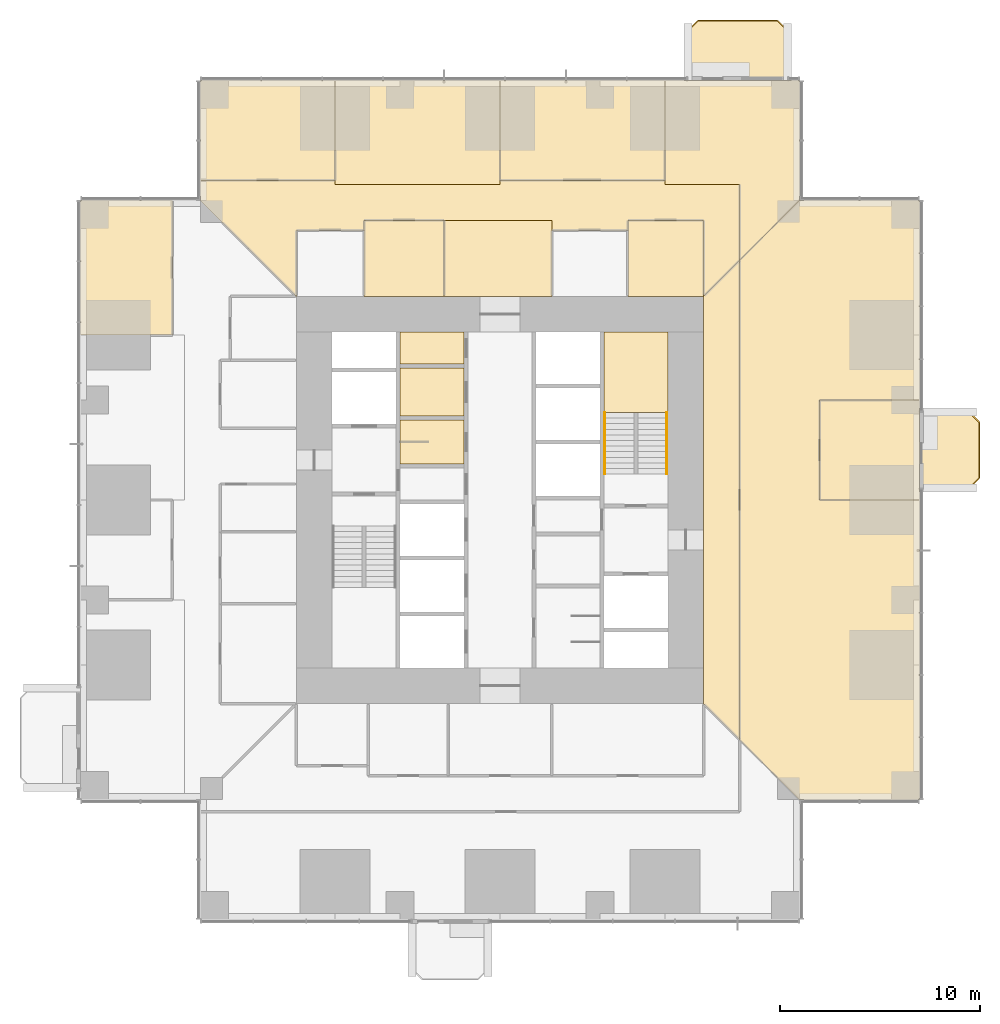
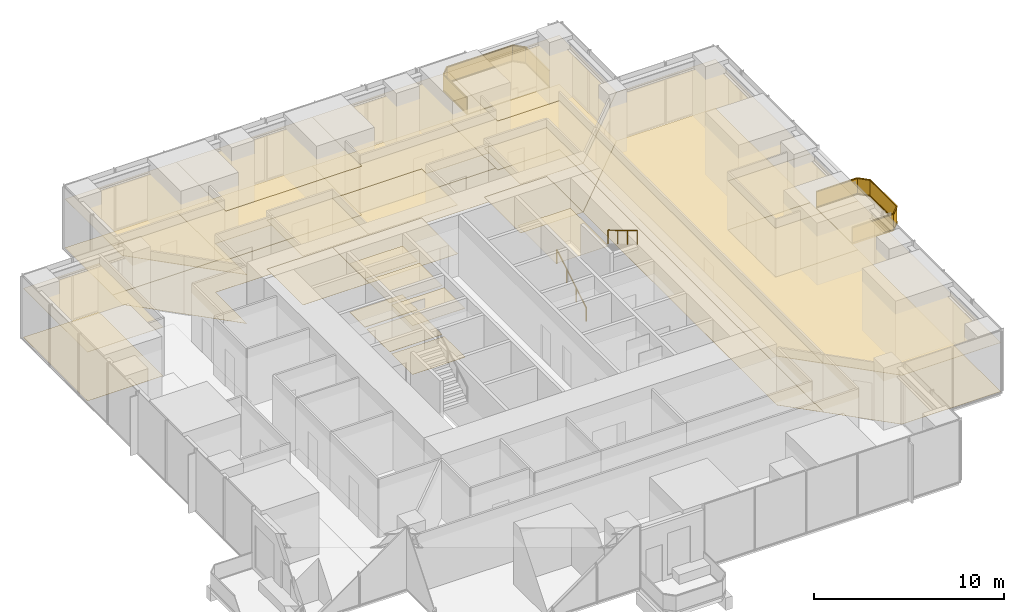
# One storey, part 16 of 17: 33 coverings, 4 railings.
"""IFC4 building model written with IfcOpenShell, lengths in metres."""

from ifc_helpers import new_model, si_unit, direction, frame, origin, origin_2d, place, context, subcontext, project, spatial, polyline, rectangle, circle, outline, extrude, material, layer, layer_set, type_object, element, save


model = new_model("IFC4")

# Units and contexts
model_context = context("Model", 3, precision=1e-05, world=origin(), true_north=direction((0.0, 1.0)))
body_context = subcontext(model_context, "Body", "Model", "MODEL_VIEW")
ifc_project = project(units=[si_unit("LENGTHUNIT", "METRE"), si_unit("AREAUNIT", "SQUARE_METRE"), si_unit("VOLUMEUNIT", "CUBIC_METRE"), si_unit("PLANEANGLEUNIT", "RADIAN"), si_unit("MASSUNIT", "GRAM", prefix="KILO")], contexts=[model_context])

# Site, building, storey
site_placement = place(None, origin())
site = spatial("IfcSite", under=ifc_project, at=site_placement, CompositionType="ELEMENT")
building_placement = place(site_placement, origin())
building = spatial("IfcBuilding", under=site, at=building_placement, Name="Svetlomir Tower", CompositionType="ELEMENT")
storey_placement = place(building_placement, frame((0.0, 0.0, 30.5)))
storey = spatial("IfcBuildingStorey", under=building, at=storey_placement, Name="L06", CompositionType="ELEMENT", Elevation=30.5)

# Railings
ifc_material_1 = material(Name="Bronze anodised aluminium and laminated glass", Category="aluminium")
railing_type_1 = type_object("IfcRailingType", Name="BALCONY GUARD GR1 1100", PredefinedType="GUARDRAIL", material=ifc_material_1)
railing_1_placement = place(storey_placement, frame((42.0, 21.60009765625, 0.0)))
element("IfcRailing", 1, at=railing_1_placement, inside=storey, type_object=railing_type_1, Name="Balcony guard E L06", PredefinedType="GUARDRAIL", context=body_context, shape_type="SweptSolid", body=[
    extrude(rectangle(XDim=0.06005859375, YDim=0.10009765625, at=origin_2d()), frame((0.0, 0.0, 0.050048828125), z_axis=(1.0, 0.0, 0.0), x_axis=(0.0, 1.0, 0.0)), (0.0, 0.0, 1.0), 2.5),
    extrude(rectangle(XDim=0.021484375, YDim=0.960205078125, at=origin_2d()), frame((0.0, 0.0, 0.580078125), z_axis=(1.0, 0.0, 0.0), x_axis=(0.0, 1.0, 0.0)), (0.0, 0.0, 1.0), 2.5),
    extrude(rectangle(XDim=0.06005859375, YDim=0.0400390625, at=origin_2d()), frame((0.0, 0.0, 1.080078125), z_axis=(1.0, 0.0, 0.0), x_axis=(0.0, 1.0, 0.0)), (0.0, 0.0, 1.0), 2.5),
    extrude(rectangle(XDim=0.06005859375, YDim=0.10009765625, at=origin_2d()), frame((2.5, 0.0, 0.050048828125), z_axis=(0.707106781187, 0.707106781187, 0.0), x_axis=(-0.707106781187, 0.707106781187, 0.0)), (0.0, 0.0, 1.0), 0.70703125),
    extrude(rectangle(XDim=0.021484375, YDim=0.960205078125, at=origin_2d()), frame((2.5, 0.0, 0.580078125), z_axis=(0.707106781187, 0.707106781187, 0.0), x_axis=(-0.707106781187, 0.707106781187, 0.0)), (0.0, 0.0, 1.0), 0.70703125),
    extrude(rectangle(XDim=0.06005859375, YDim=0.0400390625, at=origin_2d()), frame((2.5, 0.0, 1.080078125), z_axis=(0.707106781187, 0.707106781187, 0.0), x_axis=(-0.707106781187, 0.707106781187, 0.0)), (0.0, 0.0, 1.0), 0.70703125),
    extrude(rectangle(XDim=0.06005859375, YDim=0.10009765625, at=origin_2d()), frame((3.0, 0.5, 0.050048828125), z_axis=(0.0, 1.0, 0.0), x_axis=(-1.0, 0.0, 0.0)), (0.0, 0.0, 1.0), 2.7998046875),
    extrude(rectangle(XDim=0.021484375, YDim=0.960205078125, at=origin_2d()), frame((3.0, 0.5, 0.580078125), z_axis=(0.0, 1.0, 0.0), x_axis=(-1.0, 0.0, 0.0)), (0.0, 0.0, 1.0), 2.7998046875),
    extrude(rectangle(XDim=0.06005859375, YDim=0.0400390625, at=origin_2d()), frame((3.0, 0.5, 1.080078125), z_axis=(0.0, 1.0, 0.0), x_axis=(-1.0, 0.0, 0.0)), (0.0, 0.0, 1.0), 2.7998046875),
    extrude(rectangle(XDim=0.06005859375, YDim=0.10009765625, at=origin_2d()), frame((3.0, 3.2998046875, 0.050048828125), z_axis=(-0.707106781187, 0.707106781187, 0.0), x_axis=(-0.707106781187, -0.707106781187, 0.0)), (0.0, 0.0, 1.0), 0.70703125),
    extrude(rectangle(XDim=0.021484375, YDim=0.960205078125, at=origin_2d()), frame((3.0, 3.2998046875, 0.580078125), z_axis=(-0.707106781187, 0.707106781187, 0.0), x_axis=(-0.707106781187, -0.707106781187, 0.0)), (0.0, 0.0, 1.0), 0.70703125),
    extrude(rectangle(XDim=0.06005859375, YDim=0.0400390625, at=origin_2d()), frame((3.0, 3.2998046875, 1.080078125), z_axis=(-0.707106781187, 0.707106781187, 0.0), x_axis=(-0.707106781187, -0.707106781187, 0.0)), (0.0, 0.0, 1.0), 0.70703125),
    extrude(rectangle(XDim=0.06005859375, YDim=0.10009765625, at=origin_2d()), frame((2.5, 3.7998046875, 0.050048828125), z_axis=(-1.0, 0.0, 0.0), x_axis=(0.0, -1.0, 0.0)), (0.0, 0.0, 1.0), 2.5),
    extrude(rectangle(XDim=0.021484375, YDim=0.960205078125, at=origin_2d()), frame((2.5, 3.7998046875, 0.580078125), z_axis=(-1.0, 0.0, 0.0), x_axis=(0.0, -1.0, 0.0)), (0.0, 0.0, 1.0), 2.5),
    extrude(rectangle(XDim=0.06005859375, YDim=0.0400390625, at=origin_2d()), frame((2.5, 3.7998046875, 1.080078125), z_axis=(-1.0, 0.0, 0.0), x_axis=(0.0, -1.0, 0.0)), (0.0, 0.0, 1.0), 2.5),
])
railing_2_placement = place(storey_placement, frame((35.39990234375, 42.0, 0.0)))
element("IfcRailing", 2, at=railing_2_placement, inside=storey, type_object=railing_type_1, Name="Balcony guard N L06", PredefinedType="GUARDRAIL", context=body_context, shape_type="SweptSolid", body=[
    extrude(rectangle(XDim=0.06005859375, YDim=0.10009765625, at=origin_2d()), frame((0.0, 0.0, 0.050048828125), z_axis=(0.0, 1.0, 0.0), x_axis=(-1.0, 0.0, 0.0)), (0.0, 0.0, 1.0), 2.5),
    extrude(rectangle(XDim=0.021484375, YDim=0.960205078125, at=origin_2d()), frame((0.0, 0.0, 0.580078125), z_axis=(0.0, 1.0, 0.0), x_axis=(-1.0, 0.0, 0.0)), (0.0, 0.0, 1.0), 2.5),
    extrude(rectangle(XDim=0.06005859375, YDim=0.0400390625, at=origin_2d()), frame((0.0, 0.0, 1.080078125), z_axis=(0.0, 1.0, 0.0), x_axis=(-1.0, 0.0, 0.0)), (0.0, 0.0, 1.0), 2.5),
    extrude(rectangle(XDim=0.06005859375, YDim=0.10009765625, at=origin_2d()), frame((0.0, 2.5, 0.050048828125), z_axis=(-0.707106781187, 0.707106781187, 0.0), x_axis=(-0.707106781187, -0.707106781187, 0.0)), (0.0, 0.0, 1.0), 0.70703125),
    extrude(rectangle(XDim=0.021484375, YDim=0.960205078125, at=origin_2d()), frame((0.0, 2.5, 0.580078125), z_axis=(-0.707106781187, 0.707106781187, 0.0), x_axis=(-0.707106781187, -0.707106781187, 0.0)), (0.0, 0.0, 1.0), 0.70703125),
    extrude(rectangle(XDim=0.06005859375, YDim=0.0400390625, at=origin_2d()), frame((0.0, 2.5, 1.080078125), z_axis=(-0.707106781187, 0.707106781187, 0.0), x_axis=(-0.707106781187, -0.707106781187, 0.0)), (0.0, 0.0, 1.0), 0.70703125),
    extrude(rectangle(XDim=0.06005859375, YDim=0.10009765625, at=origin_2d()), frame((-0.5, 3.0, 0.050048828125), z_axis=(-1.0, 0.0, 0.0), x_axis=(0.0, -1.0, 0.0)), (0.0, 0.0, 1.0), 4.0),
    extrude(rectangle(XDim=0.021484375, YDim=0.960205078125, at=origin_2d()), frame((-0.5, 3.0, 0.580078125), z_axis=(-1.0, 0.0, 0.0), x_axis=(0.0, -1.0, 0.0)), (0.0, 0.0, 1.0), 4.0),
    extrude(rectangle(XDim=0.06005859375, YDim=0.0400390625, at=origin_2d()), frame((-0.5, 3.0, 1.080078125), z_axis=(-1.0, 0.0, 0.0), x_axis=(0.0, -1.0, 0.0)), (0.0, 0.0, 1.0), 4.0),
    extrude(rectangle(XDim=0.06005859375, YDim=0.10009765625, at=origin_2d()), frame((-4.5, 3.0, 0.050048828125), z_axis=(-0.707106781187, -0.707106781187, 0.0), x_axis=(0.707106781187, -0.707106781187, 0.0)), (0.0, 0.0, 1.0), 0.70703125),
    extrude(rectangle(XDim=0.021484375, YDim=0.960205078125, at=origin_2d()), frame((-4.5, 3.0, 0.580078125), z_axis=(-0.707106781187, -0.707106781187, 0.0), x_axis=(0.707106781187, -0.707106781187, 0.0)), (0.0, 0.0, 1.0), 0.70703125),
    extrude(rectangle(XDim=0.06005859375, YDim=0.0400390625, at=origin_2d()), frame((-4.5, 3.0, 1.080078125), z_axis=(-0.707106781187, -0.707106781187, 0.0), x_axis=(0.707106781187, -0.707106781187, 0.0)), (0.0, 0.0, 1.0), 0.70703125),
    extrude(rectangle(XDim=0.06005859375, YDim=0.10009765625, at=origin_2d()), frame((-5.0, 2.5, 0.050048828125), z_axis=(0.0, -1.0, 0.0), x_axis=(1.0, 0.0, 0.0)), (0.0, 0.0, 1.0), 2.5),
    extrude(rectangle(XDim=0.021484375, YDim=0.960205078125, at=origin_2d()), frame((-5.0, 2.5, 0.580078125), z_axis=(0.0, -1.0, 0.0), x_axis=(1.0, 0.0, 0.0)), (0.0, 0.0, 1.0), 2.5),
    extrude(rectangle(XDim=0.06005859375, YDim=0.0400390625, at=origin_2d()), frame((-5.0, 2.5, 1.080078125), z_axis=(0.0, -1.0, 0.0), x_axis=(1.0, 0.0, 0.0)), (0.0, 0.0, 1.0), 2.5),
])

# Coverings
ifc_material_2 = material(Name="Granite paving slabs on pedestals", Category="masonry")
ifc_layer_1 = layer(ifc_material_2, 0.0400390625)
ifc_layer_set_1 = layer_set([ifc_layer_1], Name="Granite paving slabs on pedestals")
covering_type_1 = type_object("IfcCoveringType", Name="BALCONY PAVING 40", PredefinedType="USERDEFINED", material=ifc_layer_set_1)
covering_1_placement = place(storey_placement, origin())
element("IfcCovering", 3, at=covering_1_placement, inside=storey, type_object=covering_type_1, Name="Balcony paving E L06", ObjectType="BALCONY PAVING", PredefinedType="USERDEFINED", context=body_context, shape_type="SweptSolid", body=[
    extrude(outline(polyline([(42.0, 21.60009765625), (44.5, 21.60009765625), (45.0, 22.10009765625), (45.0, 24.89990234375), (44.5, 25.39990234375), (42.0, 25.39990234375), (42.0, 21.60009765625)])), origin(), (0.0, 0.0, 1.0), 0.0400390625),
])
covering_2_placement = place(storey_placement, origin())
element("IfcCovering", 4, at=covering_2_placement, inside=storey, type_object=covering_type_1, Name="Balcony paving N L06", ObjectType="BALCONY PAVING", PredefinedType="USERDEFINED", context=body_context, shape_type="SweptSolid", body=[
    extrude(outline(polyline([(30.39990234375, 42.0), (35.39990234375, 42.0), (35.39990234375, 44.5), (34.89990234375, 45.0), (30.89990234375, 45.0), (30.39990234375, 44.5), (30.39990234375, 42.0)])), origin(), (0.0, 0.0, 1.0), 0.0400390625),
])
ifc_material_3 = material(Name="Carpet tile", Category="textile")
ifc_layer_2 = layer(ifc_material_3, 0.010009765625)
ifc_layer_set_2 = layer_set([ifc_layer_2], Name="Carpet tile")
covering_type_2 = type_object("IfcCoveringType", Name="CARPET TILE FLOOR 10", PredefinedType="FLOORING", material=ifc_layer_set_2)
covering_3_placement = place(storey_placement, origin())
element("IfcCovering", 5, at=covering_3_placement, inside=storey, type_object=covering_type_2, Name="Floor finish L06-16", PredefinedType="FLOORING", context=body_context, shape_type="SweptSolid", body=[
    extrude(outline(polyline([(37.0, 21.0), (42.0, 21.0), (42.0, 26.0), (37.0, 26.0), (37.0, 21.0)])), origin(), (0.0, 0.0, 1.0), 0.010009765625),
])
covering_4_placement = place(storey_placement, origin())
element("IfcCovering", 6, at=covering_4_placement, inside=storey, type_object=covering_type_2, Name="Floor finish L06-18", PredefinedType="FLOORING", context=body_context, shape_type="SweptSolid", body=[
    extrude(outline(polyline([(14.199951171875, 31.199951171875), (18.199951171875, 31.199951171875), (18.199951171875, 35.0), (14.199951171875, 35.0), (14.199951171875, 31.199951171875)])), origin(), (0.0, 0.0, 1.0), 0.010009765625),
])
covering_5_placement = place(storey_placement, origin())
element("IfcCovering", 7, at=covering_5_placement, inside=storey, type_object=covering_type_2, Name="Floor finish L06-20", PredefinedType="FLOORING", context=body_context, shape_type="SweptSolid", body=[
    extrude(outline(polyline([(27.39990234375, 31.199951171875), (31.199951171875, 31.199951171875), (31.199951171875, 35.0), (27.39990234375, 35.0), (27.39990234375, 31.199951171875)])), origin(), (0.0, 0.0, 1.0), 0.010009765625),
])
covering_6_placement = place(storey_placement, origin())
element("IfcCovering", 8, at=covering_6_placement, inside=storey, type_object=covering_type_2, Name="Floor finish L06-21", PredefinedType="FLOORING", context=body_context, shape_type="SweptSolid", body=[
    extrude(outline(polyline([(6.0, 37.0), (12.75, 37.0), (12.75, 42.0), (6.0, 42.0), (6.0, 37.0)])), origin(), (0.0, 0.0, 1.0), 0.010009765625),
])
covering_7_placement = place(storey_placement, origin())
element("IfcCovering", 9, at=covering_7_placement, inside=storey, type_object=covering_type_2, Name="Floor finish L06-22", PredefinedType="FLOORING", context=body_context, shape_type="SweptSolid", body=[
    extrude(outline(polyline([(21.0, 37.0), (29.25, 37.0), (29.25, 42.0), (21.0, 42.0), (21.0, 37.0)])), origin(), (0.0, 0.0, 1.0), 0.010009765625),
])
covering_8_placement = place(storey_placement, origin())
element("IfcCovering", 10, at=covering_8_placement, inside=storey, type_object=covering_type_2, Name="Floor finish L06-28", PredefinedType="FLOORING", context=body_context, shape_type="SweptSolid", body=[
    extrude(outline(polyline([(0.0, 29.25), (4.60009765625, 29.25), (4.60009765625, 36.0), (0.0, 36.0), (0.0, 29.25)])), origin(), (0.0, 0.0, 1.0), 0.010009765625),
])
covering_9_placement = place(storey_placement, origin())
element("IfcCovering", 11, at=covering_9_placement, inside=storey, type_object=covering_type_2, Name="Floor finish L06-30", PredefinedType="FLOORING", context=body_context, shape_type="SweptSolid", body=[
    extrude(outline(polyline([(33.0, 9.0), (31.199951171875, 10.800048828125), (31.199951171875, 31.199951171875), (33.0, 33.0), (33.0, 9.0)])), origin(), (0.0, 0.0, 1.0), 0.010009765625),
])
covering_10_placement = place(storey_placement, origin())
element("IfcCovering", 12, at=covering_10_placement, inside=storey, type_object=covering_type_2, Name="Floor finish L06-31", PredefinedType="FLOORING", context=body_context, shape_type="SweptSolid", body=[
    extrude(outline(polyline([(6.0, 37.0), (12.75, 37.0), (12.75, 36.800048828125), (21.0, 36.800048828125), (21.0, 37.0), (29.25, 37.0), (29.25, 36.800048828125), (33.0, 36.800048828125), (33.0, 33.0), (31.199951171875, 31.199951171875), (31.199951171875, 35.0), (27.39990234375, 35.0), (27.39990234375, 34.5), (23.60009765625, 34.5), (23.60009765625, 35.0), (14.199951171875, 35.0), (14.199951171875, 34.5), (10.800048828125, 34.5), (10.800048828125, 31.199951171875), (6.0, 36.0), (6.0, 37.0)])), origin(), (0.0, 0.0, 1.0), 0.010009765625),
])
covering_11_placement = place(storey_placement, origin())
element("IfcCovering", 13, at=covering_11_placement, inside=storey, type_object=covering_type_2, Name="Floor finish L06-35", PredefinedType="FLOORING", context=body_context, shape_type="SweptSolid", body=[
    extrude(outline(polyline([(33.0, 33.0), (36.0, 36.0), (42.0, 36.0), (42.0, 26.0), (37.0, 26.0), (37.0, 21.0), (42.0, 21.0), (42.0, 6.0), (36.0, 6.0), (33.0, 9.0), (33.0, 33.0)])), origin(), (0.0, 0.0, 1.0), 0.010009765625),
])
covering_12_placement = place(storey_placement, origin())
element("IfcCovering", 14, at=covering_12_placement, inside=storey, type_object=covering_type_2, Name="Floor finish L06-36", PredefinedType="FLOORING", context=body_context, shape_type="SweptSolid", body=[
    extrude(outline(polyline([(33.0, 36.800048828125), (29.25, 36.800048828125), (29.25, 42.0), (36.0, 42.0), (36.0, 36.0), (33.0, 33.0), (33.0, 36.800048828125)])), origin(), (0.0, 0.0, 1.0), 0.010009765625),
])
covering_13_placement = place(storey_placement, origin())
element("IfcCovering", 15, at=covering_13_placement, inside=storey, type_object=covering_type_2, Name="Floor finish L06-37", PredefinedType="FLOORING", context=body_context, shape_type="SweptSolid", body=[
    extrude(outline(polyline([(21.0, 42.0), (21.0, 36.800048828125), (12.75, 36.800048828125), (12.75, 42.0), (21.0, 42.0)])), origin(), (0.0, 0.0, 1.0), 0.010009765625),
])
covering_14_placement = place(storey_placement, origin())
element("IfcCovering", 16, at=covering_14_placement, inside=storey, type_object=covering_type_2, Name="Floor finish L06-38", PredefinedType="FLOORING", context=body_context, shape_type="SweptSolid", body=[
    extrude(outline(polyline([(18.199951171875, 31.199951171875), (18.199951171875, 35.0), (23.60009765625, 35.0), (23.60009765625, 31.199951171875), (18.199951171875, 31.199951171875)])), origin(), (0.0, 0.0, 1.0), 0.010009765625),
])
ifc_material_4 = material(Name="Ceramic floor tile", Category="ceramic")
ifc_layer_3 = layer(ifc_material_4, 0.014892578125)
ifc_layer_set_3 = layer_set([ifc_layer_3], Name="Ceramic floor tile")
covering_type_3 = type_object("IfcCoveringType", Name="CERAMIC TILE FLOOR 15", PredefinedType="FLOORING", material=ifc_layer_set_3)
covering_15_placement = place(storey_placement, origin())
element("IfcCovering", 17, at=covering_15_placement, inside=storey, type_object=covering_type_3, Name="Floor finish L06-04", PredefinedType="FLOORING", context=body_context, shape_type="SweptSolid", body=[
    extrude(outline(polyline([(16.0, 22.800048828125), (19.199951171875, 22.800048828125), (19.199951171875, 25.0), (16.0, 25.0), (16.0, 22.800048828125)])), origin(), (0.0, 0.0, 1.0), 0.014892578125),
])
covering_16_placement = place(storey_placement, origin())
element("IfcCovering", 18, at=covering_16_placement, inside=storey, type_object=covering_type_3, Name="Floor finish L06-05", PredefinedType="FLOORING", context=body_context, shape_type="SweptSolid", body=[
    extrude(outline(polyline([(16.0, 25.199951171875), (19.199951171875, 25.199951171875), (19.199951171875, 27.60009765625), (16.0, 27.60009765625), (16.0, 25.199951171875)])), origin(), (0.0, 0.0, 1.0), 0.014892578125),
])

# Railings
ifc_material_5 = material(Name="Stainless steel", Category="steel")
railing_type_2 = type_object("IfcRailingType", Name="HANDRAIL HR1 900", PredefinedType="HANDRAIL", material=ifc_material_5)
railing_3_placement = place(storey_placement, frame((26.25, 22.300048828125, 0.166748046875)))
element("IfcRailing", 19, at=railing_3_placement, inside=storey, type_object=railing_type_2, Name="Handrail S2 flight 1 L06", PredefinedType="HANDRAIL", context=body_context, shape_type="SweptSolid", body=[
    extrude(circle(Radius=0.02392578125, at=origin_2d()), frame((0.0, 0.0, 0.8759765625), z_axis=(0.0, 0.859290745958, 0.51148745235), x_axis=(-1.0, 0.0, 0.0)), (0.0, 0.0, 1.0), 3.584228515625),
    extrude(circle(Radius=0.02099609375, at=origin_2d()), origin(), (0.0, 0.0, 1.0), 0.851806640625),
    extrude(circle(Radius=0.02099609375, at=origin_2d()), frame((0.0, 1.026611328125, 0.611083984375)), (0.0, 0.0, 1.0), 0.851806640625),
    extrude(circle(Radius=0.02099609375, at=origin_2d()), frame((0.0, 2.05322265625, 1.22216796875)), (0.0, 0.0, 1.0), 0.851806640625),
    extrude(circle(Radius=0.02099609375, at=origin_2d()), frame((0.0, 3.079833984375, 1.833251953125)), (0.0, 0.0, 1.0), 0.851806640625),
])
railing_4_placement = place(storey_placement, frame((29.35009765625, 25.3798828125, 2.166748046875)))
element("IfcRailing", 20, at=railing_4_placement, inside=storey, type_object=railing_type_2, Name="Handrail S2 flight 2 L06", PredefinedType="HANDRAIL", context=body_context, shape_type="SweptSolid", body=[
    extrude(circle(Radius=0.02392578125, at=origin_2d()), frame((0.0, 0.0, 0.8759765625), z_axis=(0.0, -0.859290745958, 0.51148745235), x_axis=(1.0, 0.0, 0.0)), (0.0, 0.0, 1.0), 3.584228515625),
    extrude(circle(Radius=0.02099609375, at=origin_2d()), origin(), (0.0, 0.0, 1.0), 0.851806640625),
    extrude(circle(Radius=0.02099609375, at=origin_2d()), frame((0.0, -1.026611328125, 0.611083984375)), (0.0, 0.0, 1.0), 0.851806640625),
    extrude(circle(Radius=0.02099609375, at=origin_2d()), frame((0.0, -2.05322265625, 1.22216796875)), (0.0, 0.0, 1.0), 0.851806640625),
    extrude(circle(Radius=0.02099609375, at=origin_2d()), frame((0.0, -3.079833984375, 1.833251953125)), (0.0, 0.0, 1.0), 0.851806640625),
])

# Coverings
ifc_material_6 = material(Name="Moisture resistant plasterboard ceiling", Category="gypsum")
ifc_layer_4 = layer(ifc_material_6, 0.012451171875)
ifc_layer_set_4 = layer_set([ifc_layer_4], Name="Moisture resistant plasterboard ceiling")
covering_type_4 = type_object("IfcCoveringType", Name="MOISTURE RESISTANT CEILING 12.5", PredefinedType="CEILING", material=ifc_layer_set_4)
covering_17_placement = place(storey_placement, frame((0.0, 0.0, 3.137451171875)))
element("IfcCovering", 21, at=covering_17_placement, inside=storey, type_object=covering_type_4, Name="Ceiling L06-04", PredefinedType="CEILING", context=body_context, shape_type="SweptSolid", body=[
    extrude(outline(polyline([(16.0, 22.800048828125), (19.199951171875, 22.800048828125), (19.199951171875, 25.0), (16.0, 25.0), (16.0, 22.800048828125)])), origin(), (0.0, 0.0, 1.0), 0.012451171875),
])
covering_18_placement = place(storey_placement, frame((0.0, 0.0, 3.137451171875)))
element("IfcCovering", 22, at=covering_18_placement, inside=storey, type_object=covering_type_4, Name="Ceiling L06-05", PredefinedType="CEILING", context=body_context, shape_type="SweptSolid", body=[
    extrude(outline(polyline([(16.0, 25.199951171875), (19.199951171875, 25.199951171875), (19.199951171875, 27.60009765625), (16.0, 27.60009765625), (16.0, 25.199951171875)])), origin(), (0.0, 0.0, 1.0), 0.012451171875),
])
ifc_material_7 = material(Name="Gypsum plasterboard ceiling", Category="gypsum")
ifc_layer_5 = layer(ifc_material_7, 0.014892578125)
ifc_layer_set_5 = layer_set([ifc_layer_5], Name="Gypsum plasterboard ceiling")
covering_type_5 = type_object("IfcCoveringType", Name="PLASTERBOARD CEILING 15", PredefinedType="CEILING", material=ifc_layer_set_5)
covering_19_placement = place(storey_placement, frame((0.0, 0.0, 3.135009765625)))
element("IfcCovering", 23, at=covering_19_placement, inside=storey, type_object=covering_type_5, Name="Ceiling L06-06", PredefinedType="CEILING", context=body_context, shape_type="SweptSolid", body=[
    extrude(outline(polyline([(16.0, 27.800048828125), (19.199951171875, 27.800048828125), (19.199951171875, 29.39990234375), (16.0, 29.39990234375), (16.0, 27.800048828125)])), origin(), (0.0, 0.0, 1.0), 0.014892578125),
])
ifc_material_8 = material(Name="Studded rubber floor finish", Category="rubber")
ifc_layer_6 = layer(ifc_material_8, 0.006103515625)
ifc_layer_set_6 = layer_set([ifc_layer_6], Name="Studded rubber floor finish")
covering_type_6 = type_object("IfcCoveringType", Name="RUBBER LANDING FINISH 6", PredefinedType="FLOORING", material=ifc_layer_set_6)
covering_20_placement = place(storey_placement, frame((0.0, 0.0, 2.0)))
element("IfcCovering", 24, at=covering_20_placement, inside=storey, type_object=covering_type_6, Name="Stair S2 landing finish L06", PredefinedType="FLOORING", context=body_context, shape_type="SweptSolid", body=[
    extrude(outline(polyline([(26.199951171875, 25.3798828125), (29.39990234375, 25.3798828125), (29.39990234375, 29.39990234375), (26.199951171875, 29.39990234375), (26.199951171875, 25.3798828125)])), origin(), (0.0, 0.0, 1.0), 0.006103515625),
])
ifc_material_9 = material(Name="Mineral fibre ceiling tile", Category="mineral")
ifc_layer_7 = layer(ifc_material_9, 0.02001953125)
ifc_layer_set_7 = layer_set([ifc_layer_7], Name="Mineral fibre ceiling tile")
covering_type_7 = type_object("IfcCoveringType", Name="SUSPENDED CEILING 20", PredefinedType="CEILING", material=ifc_layer_set_7)
covering_21_placement = place(storey_placement, frame((0.0, 0.0, 3.1298828125)))
element("IfcCovering", 25, at=covering_21_placement, inside=storey, type_object=covering_type_7, Name="Ceiling L06-16", PredefinedType="CEILING", context=body_context, shape_type="SweptSolid", body=[
    extrude(outline(polyline([(37.0, 21.0), (42.0, 21.0), (42.0, 26.0), (37.0, 26.0), (37.0, 21.0)])), origin(), (0.0, 0.0, 1.0), 0.02001953125),
])
covering_22_placement = place(storey_placement, frame((0.0, 0.0, 3.1298828125)))
element("IfcCovering", 26, at=covering_22_placement, inside=storey, type_object=covering_type_7, Name="Ceiling L06-18", PredefinedType="CEILING", context=body_context, shape_type="SweptSolid", body=[
    extrude(outline(polyline([(14.199951171875, 31.199951171875), (18.199951171875, 31.199951171875), (18.199951171875, 35.0), (14.199951171875, 35.0), (14.199951171875, 31.199951171875)])), origin(), (0.0, 0.0, 1.0), 0.02001953125),
])
covering_23_placement = place(storey_placement, frame((0.0, 0.0, 3.1298828125)))
element("IfcCovering", 27, at=covering_23_placement, inside=storey, type_object=covering_type_7, Name="Ceiling L06-20", PredefinedType="CEILING", context=body_context, shape_type="SweptSolid", body=[
    extrude(outline(polyline([(27.39990234375, 31.199951171875), (31.199951171875, 31.199951171875), (31.199951171875, 35.0), (27.39990234375, 35.0), (27.39990234375, 31.199951171875)])), origin(), (0.0, 0.0, 1.0), 0.02001953125),
])
covering_24_placement = place(storey_placement, frame((0.0, 0.0, 3.1298828125)))
element("IfcCovering", 28, at=covering_24_placement, inside=storey, type_object=covering_type_7, Name="Ceiling L06-21", PredefinedType="CEILING", context=body_context, shape_type="SweptSolid", body=[
    extrude(outline(polyline([(6.0, 37.0), (12.75, 37.0), (12.75, 42.0), (6.0, 42.0), (6.0, 37.0)])), origin(), (0.0, 0.0, 1.0), 0.02001953125),
])
covering_25_placement = place(storey_placement, frame((0.0, 0.0, 3.1298828125)))
element("IfcCovering", 29, at=covering_25_placement, inside=storey, type_object=covering_type_7, Name="Ceiling L06-22", PredefinedType="CEILING", context=body_context, shape_type="SweptSolid", body=[
    extrude(outline(polyline([(21.0, 37.0), (29.25, 37.0), (29.25, 42.0), (21.0, 42.0), (21.0, 37.0)])), origin(), (0.0, 0.0, 1.0), 0.02001953125),
])
covering_26_placement = place(storey_placement, frame((0.0, 0.0, 3.1298828125)))
element("IfcCovering", 30, at=covering_26_placement, inside=storey, type_object=covering_type_7, Name="Ceiling L06-28", PredefinedType="CEILING", context=body_context, shape_type="SweptSolid", body=[
    extrude(outline(polyline([(0.0, 29.25), (4.60009765625, 29.25), (4.60009765625, 36.0), (0.0, 36.0), (0.0, 29.25)])), origin(), (0.0, 0.0, 1.0), 0.02001953125),
])
covering_27_placement = place(storey_placement, frame((0.0, 0.0, 3.1298828125)))
element("IfcCovering", 31, at=covering_27_placement, inside=storey, type_object=covering_type_7, Name="Ceiling L06-30", PredefinedType="CEILING", context=body_context, shape_type="SweptSolid", body=[
    extrude(outline(polyline([(33.0, 9.0), (31.199951171875, 10.800048828125), (31.199951171875, 31.199951171875), (33.0, 33.0), (33.0, 9.0)])), origin(), (0.0, 0.0, 1.0), 0.02001953125),
])
covering_28_placement = place(storey_placement, frame((0.0, 0.0, 3.1298828125)))
element("IfcCovering", 32, at=covering_28_placement, inside=storey, type_object=covering_type_7, Name="Ceiling L06-31", PredefinedType="CEILING", context=body_context, shape_type="SweptSolid", body=[
    extrude(outline(polyline([(6.0, 37.0), (12.75, 37.0), (12.75, 36.800048828125), (21.0, 36.800048828125), (21.0, 37.0), (29.25, 37.0), (29.25, 36.800048828125), (33.0, 36.800048828125), (33.0, 33.0), (31.199951171875, 31.199951171875), (31.199951171875, 35.0), (27.39990234375, 35.0), (27.39990234375, 34.5), (23.60009765625, 34.5), (23.60009765625, 35.0), (14.199951171875, 35.0), (14.199951171875, 34.5), (10.800048828125, 34.5), (10.800048828125, 31.199951171875), (6.0, 36.0), (6.0, 37.0)])), origin(), (0.0, 0.0, 1.0), 0.02001953125),
])
covering_29_placement = place(storey_placement, frame((0.0, 0.0, 3.1298828125)))
element("IfcCovering", 33, at=covering_29_placement, inside=storey, type_object=covering_type_7, Name="Ceiling L06-35", PredefinedType="CEILING", context=body_context, shape_type="SweptSolid", body=[
    extrude(outline(polyline([(33.0, 33.0), (36.0, 36.0), (42.0, 36.0), (42.0, 26.0), (37.0, 26.0), (37.0, 21.0), (42.0, 21.0), (42.0, 6.0), (36.0, 6.0), (33.0, 9.0), (33.0, 33.0)])), origin(), (0.0, 0.0, 1.0), 0.02001953125),
])
covering_30_placement = place(storey_placement, frame((0.0, 0.0, 3.1298828125)))
element("IfcCovering", 34, at=covering_30_placement, inside=storey, type_object=covering_type_7, Name="Ceiling L06-36", PredefinedType="CEILING", context=body_context, shape_type="SweptSolid", body=[
    extrude(outline(polyline([(33.0, 36.800048828125), (29.25, 36.800048828125), (29.25, 42.0), (36.0, 42.0), (36.0, 36.0), (33.0, 33.0), (33.0, 36.800048828125)])), origin(), (0.0, 0.0, 1.0), 0.02001953125),
])
covering_31_placement = place(storey_placement, frame((0.0, 0.0, 3.1298828125)))
element("IfcCovering", 35, at=covering_31_placement, inside=storey, type_object=covering_type_7, Name="Ceiling L06-37", PredefinedType="CEILING", context=body_context, shape_type="SweptSolid", body=[
    extrude(outline(polyline([(21.0, 42.0), (21.0, 36.800048828125), (12.75, 36.800048828125), (12.75, 42.0), (21.0, 42.0)])), origin(), (0.0, 0.0, 1.0), 0.02001953125),
])
covering_32_placement = place(storey_placement, frame((0.0, 0.0, 3.1298828125)))
element("IfcCovering", 36, at=covering_32_placement, inside=storey, type_object=covering_type_7, Name="Ceiling L06-38", PredefinedType="CEILING", context=body_context, shape_type="SweptSolid", body=[
    extrude(outline(polyline([(18.199951171875, 31.199951171875), (18.199951171875, 35.0), (23.60009765625, 35.0), (23.60009765625, 31.199951171875), (18.199951171875, 31.199951171875)])), origin(), (0.0, 0.0, 1.0), 0.02001953125),
])
ifc_material_10 = material(Name="Bronze-aggregate terrazzo", Category="stone")
ifc_layer_8 = layer(ifc_material_10, 0.030029296875)
ifc_layer_set_8 = layer_set([ifc_layer_8], Name="Bronze-aggregate terrazzo")
covering_type_8 = type_object("IfcCoveringType", Name="TERRAZZO FLOOR 30", PredefinedType="FLOORING", material=ifc_layer_set_8)
covering_33_placement = place(storey_placement, origin())
element("IfcCovering", 37, at=covering_33_placement, inside=storey, type_object=covering_type_8, Name="Floor finish L06-06", PredefinedType="FLOORING", context=body_context, shape_type="SweptSolid", body=[
    extrude(outline(polyline([(16.0, 27.800048828125), (19.199951171875, 27.800048828125), (19.199951171875, 29.39990234375), (16.0, 29.39990234375), (16.0, 27.800048828125)])), origin(), (0.0, 0.0, 1.0), 0.030029296875),
])

save(model, "model.ifc")
